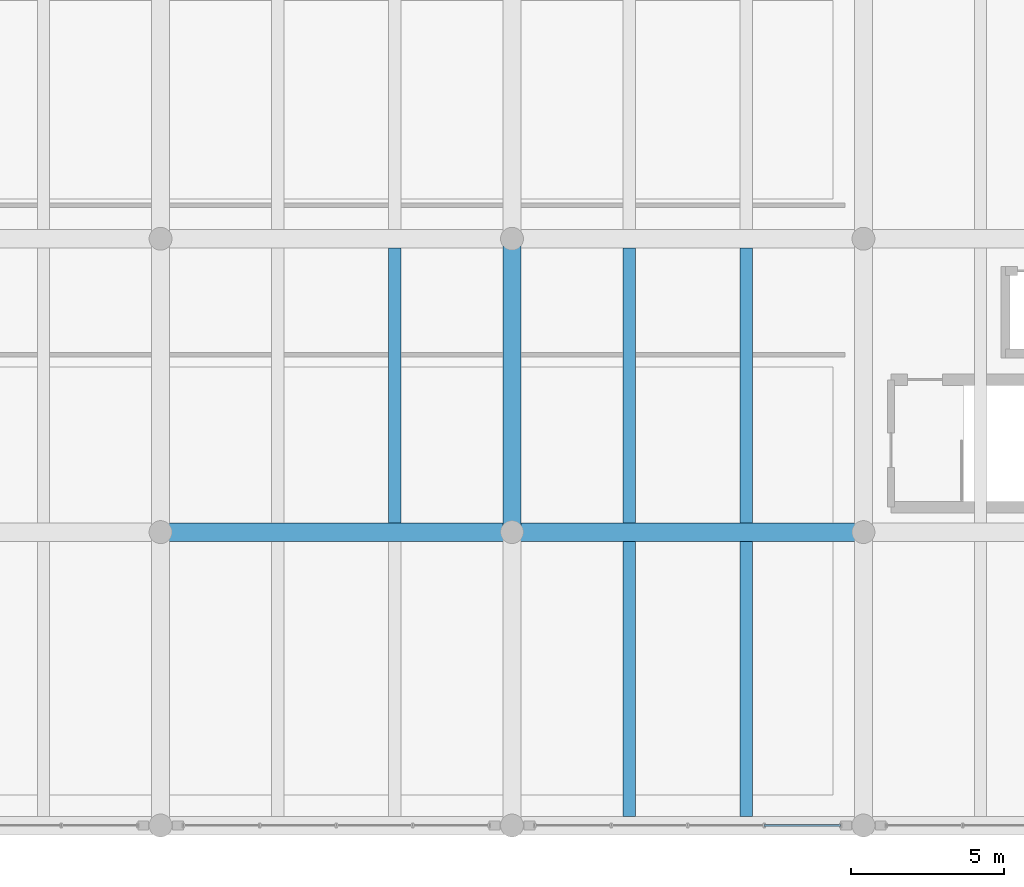
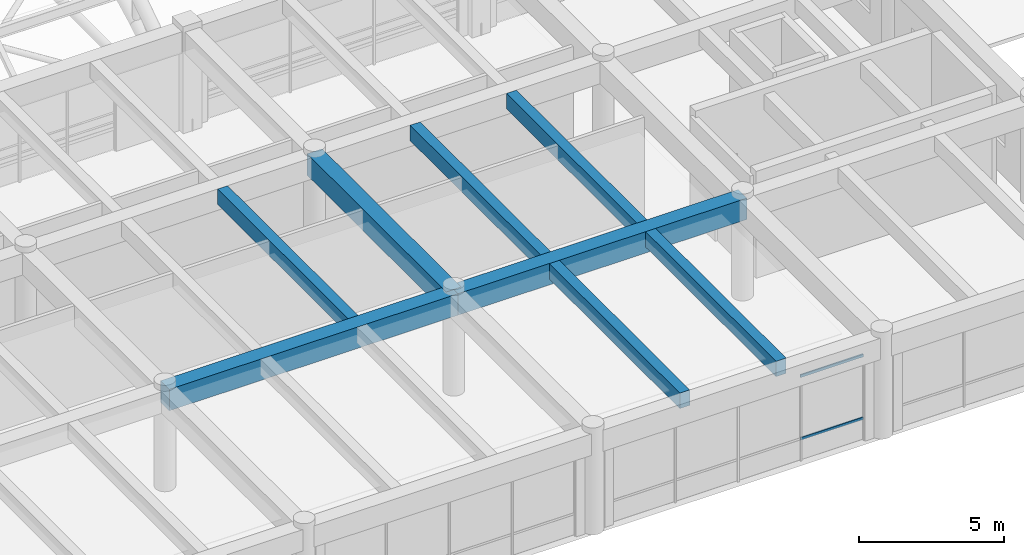
# One storey, part 41 of 154: 8 beams, 2 members, 1 element without a shape of its own.
"""IFC4 building model written with IfcOpenShell, lengths in metres."""

from ifc_helpers import new_model, si_unit, direction, frame, origin, origin_2d, place, context, subcontext, project, spatial, rectangle, hollow_rectangle, extrude, material, material_profile, profile_set, type_object, element, aggregate, save


model = new_model("IFC4")

# Units and contexts
model_context = context("Model", 3, precision=1e-05, world=origin(), true_north=direction((0.0, 1.0)))
body_context = subcontext(model_context, "Body", "Model", "MODEL_VIEW")
ifc_project = project(units=[si_unit("LENGTHUNIT", "METRE"), si_unit("AREAUNIT", "SQUARE_METRE"), si_unit("VOLUMEUNIT", "CUBIC_METRE"), si_unit("PLANEANGLEUNIT", "RADIAN"), si_unit("MASSUNIT", "GRAM", prefix="KILO")], contexts=[model_context])

# Site, building, storey
site_placement = place(None, origin())
site = spatial("IfcSite", under=ifc_project, at=site_placement, CompositionType="ELEMENT")
building_placement = place(site_placement, origin())
building = spatial("IfcBuilding", under=site, at=building_placement, Name="Ologun Quay Terminus", CompositionType="ELEMENT")
storey_placement = place(building_placement, frame((0.0, 0.0, 13.800048828125)))
storey = spatial("IfcBuildingStorey", under=building, at=storey_placement, Name="L03", CompositionType="ELEMENT", Elevation=13.800048828125)

# Curtain wall, members
ifc_material_1 = material(Name="Aluminium 6063-T6", Category="aluminium")
curtain_wall_type = type_object("IfcCurtainWallType", Name="South Pavilion Reading Hall Curtain Wall 10700x4150", PredefinedType="USERDEFINED", material=ifc_material_1)
curtain_wall_placement = place(storey_placement, origin())
curtain_wall = element("IfcCurtainWall", 1, at=curtain_wall_placement, inside=storey, type_object=curtain_wall_type, Name="CW-06 Curtain Wall CW-L03-038", ObjectType="UNITISED CURTAIN WALL", PredefinedType="USERDEFINED")
ifc_material_2 = material(Name="Aluminium 6063-T6", Category="aluminium")
ifc_material_profile_1 = material_profile(ifc_material_2, hollow_rectangle(XDim=0.054931640625, YDim=0.110107421875, WallThickness=0.00390625, at=origin_2d()), Name="ALU 110x55x4")
ifc_profile_set_1 = profile_set([ifc_material_profile_1], Name="Aluminium 6063-T6")
member_type = type_object("IfcMemberType", Name="Curtain Wall Standard Transom 110x55", PredefinedType="USERDEFINED", material=ifc_profile_set_1)
member_1_placement = place(storey_placement, frame((111.75244140625, 8.0, 0.89990234375), z_axis=(1.0, 0.0, 0.0), x_axis=(0.0, 1.0, 0.0)))
member_1 = element("IfcMember", 2, at=member_1_placement, type_object=member_type, Name="CW-L03-038 Transom B4-1", ObjectType="TRANSOM", PredefinedType="USERDEFINED", context=body_context, shape_type="SweptSolid", body=[
    extrude(hollow_rectangle(XDim=0.054931640625, YDim=0.110107421875, WallThickness=0.00390625, at=origin_2d()), origin(), (0.0, 0.0, 1.0), 2.50244140625),
])
member_2_placement = place(storey_placement, frame((111.75244140625, 8.0, 3.5400390625), z_axis=(1.0, 0.0, 0.0), x_axis=(0.0, 1.0, 0.0)))
member_2 = element("IfcMember", 3, at=member_2_placement, type_object=member_type, Name="CW-L03-038 Transom B4-2", ObjectType="TRANSOM", PredefinedType="USERDEFINED", context=body_context, shape_type="SweptSolid", body=[
    extrude(hollow_rectangle(XDim=0.054931640625, YDim=0.110107421875, WallThickness=0.00390625, at=origin_2d()), origin(), (0.0, 0.0, 1.0), 2.50244140625),
])
aggregate(curtain_wall, [member_1, member_2])

# Beams
ifc_material_3 = material(Name="Concrete C40/50", Category="concrete")
ifc_material_profile_2 = material_profile(ifc_material_3, rectangle(XDim=0.60009765625, YDim=0.89990234375, at=origin_2d()), Name="RC 600x900")
ifc_profile_set_2 = profile_set([ifc_material_profile_2], Name="Concrete C40/50")
beam_type_1 = type_object("IfcBeamType", Name="Station Frame Girder 600x900", PredefinedType="BEAM", material=ifc_profile_set_2)
for number, where, z_axis, x_axis, name in (
    (4, (92.0, 17.60009765625, 3.800048828125), (1.0, 0.0, 0.0), (0.0, 1.0, 0.0), "B3 Beam 9/C L03"),
    (5, (103.5, 17.60009765625, 3.800048828125), (1.0, 0.0, 0.0), (0.0, 1.0, 0.0), "B3 Beam 10/C L03"),
):
    element("IfcBeam", number, at=place(storey_placement, frame(where, z_axis=z_axis, x_axis=x_axis)), inside=storey, type_object=beam_type_1, Name=name, PredefinedType="BEAM", context=body_context, shape_type="SweptSolid", body=[
        extrude(rectangle(XDim=0.60009765625, YDim=0.89990234375, at=origin_2d()), origin(), (0.0, 0.0, 1.0), 11.5),
    ])
beam_placement = place(storey_placement, frame((103.5, 17.60009765625, 3.800048828125), z_axis=(0.0, 1.0, 0.0), x_axis=(-1.0, 0.0, 0.0)))
element("IfcBeam", 6, at=beam_placement, inside=storey, type_object=beam_type_1, Name="B3 Beam 10/C L03", PredefinedType="BEAM", context=body_context, shape_type="SweptSolid", body=[
    extrude(rectangle(XDim=0.60009765625, YDim=0.89990234375, at=origin_2d()), origin(), (0.0, 0.0, 1.0), 9.599853515625),
])
ifc_material_4 = material(Name="Concrete C40/50", Category="concrete")
ifc_material_profile_3 = material_profile(ifc_material_4, rectangle(XDim=0.39990234375, YDim=0.64990234375, at=origin_2d()), Name="RC 400x650")
ifc_profile_set_3 = profile_set([ifc_material_profile_3], Name="Concrete C40/50")
beam_type_2 = type_object("IfcBeamType", Name="Station Secondary Joist 400x650", PredefinedType="JOIST", material=ifc_profile_set_3)
for number, where, z_axis, x_axis, name in (
    (7, (99.666748046875, 17.89990234375, 3.925048828125), (0.0, 1.0, 0.0), (-1.0, 0.0, 0.0), "J1 Beam 9/C L03"),
    (8, (107.333251953125, 8.300048828125, 3.925048828125), (0.0, 1.0, 0.0), (-1.0, 0.0, 0.0), "J1 Beam 10/B L03"),
    (9, (111.166748046875, 8.300048828125, 3.925048828125), (0.0, 1.0, 0.0), (-1.0, 0.0, 0.0), "J1 Beam 10/B L03"),
    (10, (107.333251953125, 17.89990234375, 3.925048828125), (0.0, 1.0, 0.0), (-1.0, 0.0, 0.0), "J1 Beam 10/C L03"),
    (11, (111.166748046875, 17.89990234375, 3.925048828125), (0.0, 1.0, 0.0), (-1.0, 0.0, 0.0), "J1 Beam 10/C L03"),
):
    element("IfcBeam", number, at=place(storey_placement, frame(where, z_axis=z_axis, x_axis=x_axis)), inside=storey, type_object=beam_type_2, Name=name, PredefinedType="JOIST", context=body_context, shape_type="SweptSolid", body=[
        extrude(rectangle(XDim=0.39990234375, YDim=0.64990234375, at=origin_2d()), origin(), (0.0, 0.0, 1.0), 9.0),
    ])

save(model, "model.ifc")
